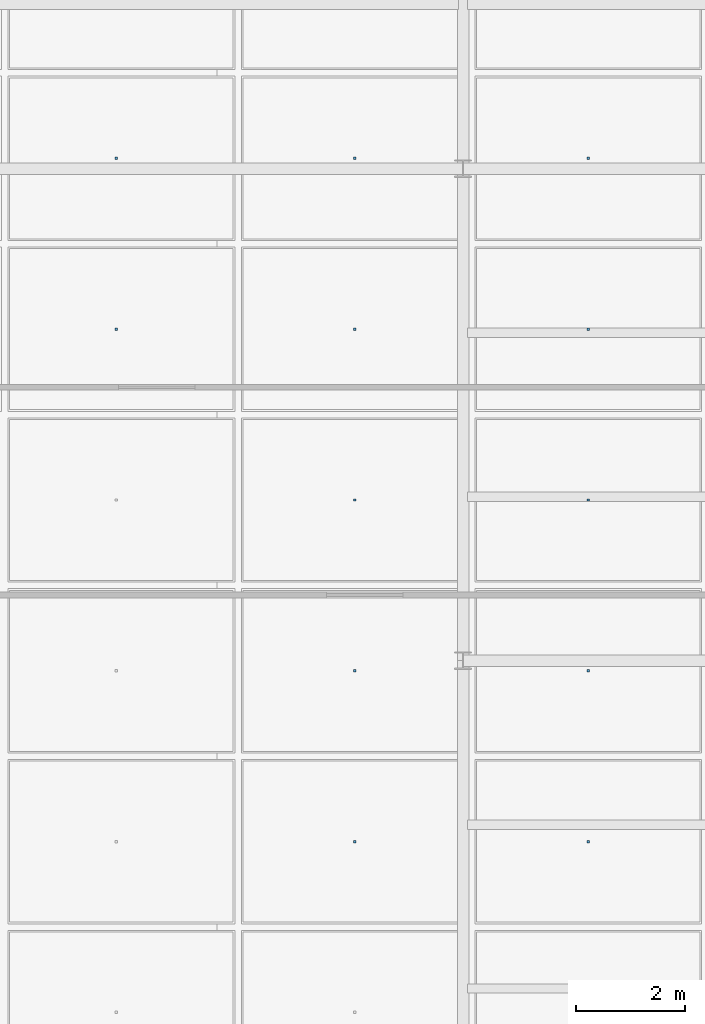
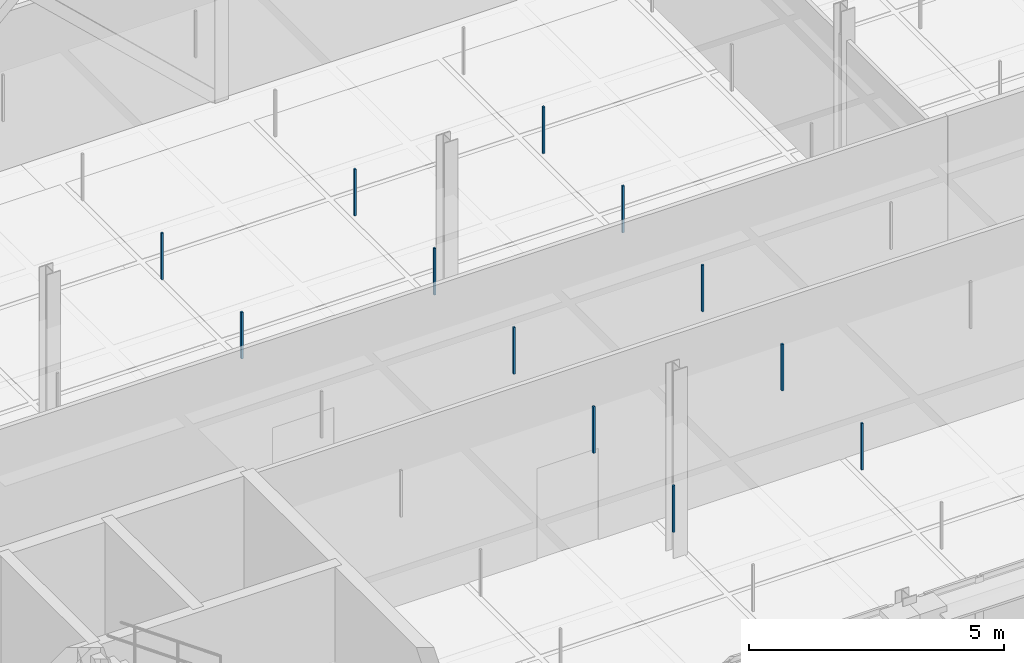
# One storey, part 96 of 130: 12 discrete accessories.
"""IFC4 building model written with IfcOpenShell, lengths in metres."""

from ifc_helpers import new_model, si_unit, direction, frame, origin, origin_2d, place, context, subcontext, project, spatial, rectangle, extrude, material, type_object, element, save


model = new_model("IFC4")

# Units and contexts
model_context = context("Model", 3, precision=1e-05, world=origin(), true_north=direction((0.0, 1.0)))
body_context = subcontext(model_context, "Body", "Model", "MODEL_VIEW")
ifc_project = project(units=[si_unit("LENGTHUNIT", "METRE"), si_unit("AREAUNIT", "SQUARE_METRE"), si_unit("VOLUMEUNIT", "CUBIC_METRE"), si_unit("PLANEANGLEUNIT", "RADIAN"), si_unit("MASSUNIT", "GRAM", prefix="KILO"), si_unit("THERMODYNAMICTEMPERATUREUNIT", "KELVIN"), si_unit("POWERUNIT", "WATT")], contexts=[model_context])

# Site, building, storey
site_placement = place(None, origin())
site = spatial("IfcSite", under=ifc_project, at=site_placement, CompositionType="ELEMENT")
building_placement = place(site_placement, origin())
building = spatial("IfcBuilding", under=site, at=building_placement, Name="Tallowbark Science Centre", CompositionType="ELEMENT")
storey_placement = place(building_placement, frame((0.0, 0.0, 5.39990234375)))
storey = spatial("IfcBuildingStorey", under=building, at=storey_placement, Name="L01", CompositionType="ELEMENT", Elevation=5.39990234375)

# Discrete accessories
ifc_material = material(Name="Galvanised Steel Grade C350L0 (350 MPa)", Category="steel")
discrete_accessory_type = type_object("IfcDiscreteAccessoryType", Name="ACC-CLG-HNG", PredefinedType="BRACKET", material=ifc_material)
for number, where, z_axis, x_axis, name in (
    (1, (83.652587890625, 87.0625, 3.205078125), (0.0, 0.0, 1.0), (1.0, 0.0, 0.0), "Ceiling Hanger Bracket L01-635"),
    (2, (83.652587890625, 90.1875, 3.205078125), (0.0, 0.0, 1.0), (1.0, 0.0, 0.0), "Ceiling Hanger Bracket L01-636"),
    (3, (88.019287109375, 77.6875, 3.205078125), (0.0, 0.0, 1.0), (1.0, 0.0, 0.0), "Ceiling Hanger Bracket L01-640"),
    (4, (88.019287109375, 80.8125, 3.205078125), (0.0, 0.0, 1.0), (1.0, 0.0, 0.0), "Ceiling Hanger Bracket L01-641"),
    (5, (88.019287109375, 83.9375, 3.205078125), (0.0, 0.0, 1.0), (1.0, 0.0, 0.0), "Ceiling Hanger Bracket L01-642"),
    (6, (88.019287109375, 87.0625, 3.205078125), (0.0, 0.0, 1.0), (1.0, 0.0, 0.0), "Ceiling Hanger Bracket L01-643"),
    (7, (88.019287109375, 90.1875, 3.205078125), (0.0, 0.0, 1.0), (1.0, 0.0, 0.0), "Ceiling Hanger Bracket L01-644"),
    (8, (92.28857421875, 77.6875, 3.205078125), (0.0, 0.0, 1.0), (1.0, 0.0, 0.0), "Ceiling Hanger Bracket L01-648"),
    (9, (92.28857421875, 80.8125, 3.205078125), (0.0, 0.0, 1.0), (1.0, 0.0, 0.0), "Ceiling Hanger Bracket L01-649"),
    (10, (92.28857421875, 83.9375, 3.205078125), (0.0, 0.0, 1.0), (1.0, 0.0, 0.0), "Ceiling Hanger Bracket L01-650"),
    (11, (92.28857421875, 87.0625, 3.205078125), (0.0, 0.0, 1.0), (1.0, 0.0, 0.0), "Ceiling Hanger Bracket L01-651"),
    (12, (92.28857421875, 90.1875, 3.205078125), (0.0, 0.0, 1.0), (1.0, 0.0, 0.0), "Ceiling Hanger Bracket L01-652"),
):
    element("IfcDiscreteAccessory", number, at=place(storey_placement, frame(where, z_axis=z_axis, x_axis=x_axis)), inside=storey, type_object=discrete_accessory_type, Name=name, PredefinedType="BRACKET", context=body_context, shape_type="SweptSolid", body=[
        extrude(rectangle(XDim=0.044921875, YDim=0.044921875, at=origin_2d()), origin(), (0.0, 0.0, 1.0), 1.117919921875),
    ])

save(model, "model.ifc")
